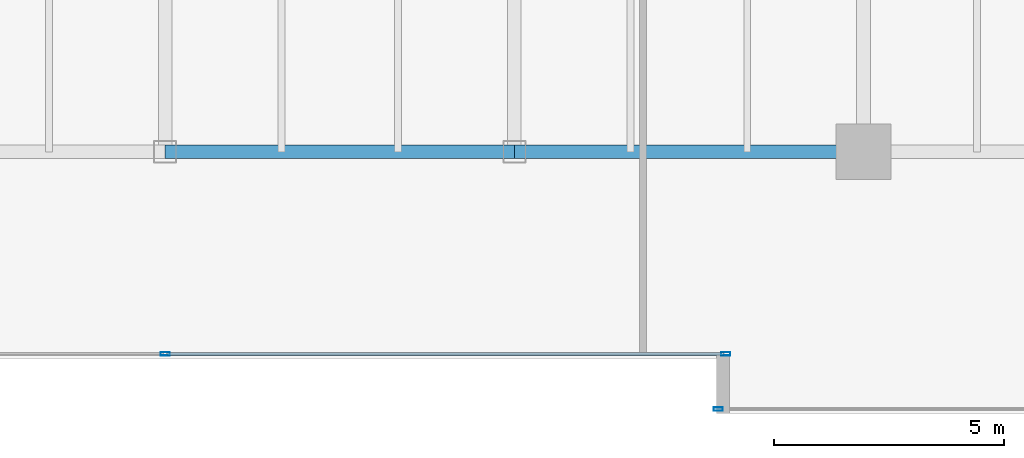
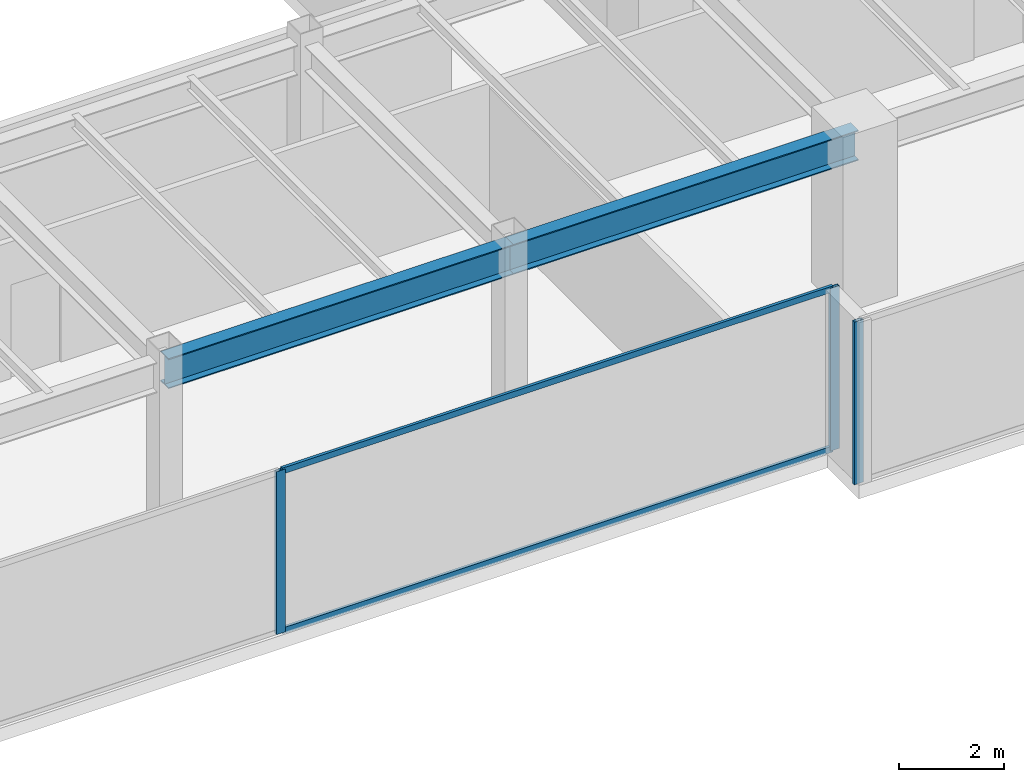
# One storey, part 10 of 31: 5 members, 2 beams, 2 elements without a shape of their own.
"""IFC4 building model written with IfcOpenShell, lengths in metres."""

import ifcopenshell
import ifcopenshell.guid

model = None  # the IFC model being written
_history = None  # IfcOwnerHistory: only IFC2X3 demands one
_inside = {}  # id of a spatial element -> (the spatial element, [elements in it])
_under = {}  # id of a project, library or spatial element -> (it, [spatial elements below it])
_declared = {}  # id of a project -> (the project, [libraries it declares])
_typed = {}  # id of a type object -> (the type object, [elements of that type])
_made_of = {}  # id of a material, layer set ... -> (it, [elements and type objects made of it])


def new_model(schema):
    """Start an empty IFC model of exactly this schema.

    Asked for "IFC4X3", IfcOpenShell would pick the latest addendum, in which some entities
    have other attributes; the version numbers below select the first issue.
    IFC2X3 requires an IfcOwnerHistory on every rooted entity: one is made here for all.
    """
    global model, _history
    if schema == "IFC4X3":
        model = ifcopenshell.file(schema_version=(4, 3, 0, 0))
    else:
        model = ifcopenshell.file(schema=schema)
    _inside.clear()
    _under.clear()
    _declared.clear()
    _typed.clear()
    _made_of.clear()
    _history = None
    if model.schema == "IFC2X3":
        org = make("IfcOrganization", Name="unknown")
        user = make(
            "IfcPersonAndOrganization",
            ThePerson=make("IfcPerson", FamilyName="unknown"),
            TheOrganization=org,
        )
        app = make(
            "IfcApplication",
            ApplicationDeveloper=org,
            Version="unknown",
            ApplicationFullName="unknown",
            ApplicationIdentifier="unknown",
        )
        _history = make(
            "IfcOwnerHistory",
            OwningUser=user,
            OwningApplication=app,
            ChangeAction="ADDED",
            CreationDate=0,
        )
    return model


def make(cls, **values):
    """One entity of the class cls with the attributes given. An attribute that is None is left unset."""
    return model.create_entity(
        cls, **{name: value for name, value in values.items() if value is not None}
    )


def rooted(cls, **values):
    """An entity with a GlobalId (a new one), such as an element, a storey or a relation."""
    return make(cls, GlobalId=ifcopenshell.guid.new(), OwnerHistory=_history, **values)


def si_unit(unit_type, name, prefix=None):
    """IfcSIUnit, for example si_unit("LENGTHUNIT", "METRE", prefix="MILLI")."""
    return make("IfcSIUnit", UnitType=unit_type, Prefix=prefix, Name=name)


def assignment(units):
    """IfcUnitAssignment: the units of a project."""
    return None if units is None else make("IfcUnitAssignment", Units=units)


def point(xyz):
    """IfcCartesianPoint."""
    return None if xyz is None else make("IfcCartesianPoint", Coordinates=xyz)


def direction(xyz):
    """IfcDirection."""
    return None if xyz is None else make("IfcDirection", DirectionRatios=xyz)


def frame(location, z_axis=None, x_axis=None):
    """IfcAxis2Placement3D, a coordinate frame: its origin and axes. An axis left out is left unset."""
    return make(
        "IfcAxis2Placement3D",
        Location=point(location),
        Axis=direction(z_axis),
        RefDirection=direction(x_axis),
    )


def frame_2d(location, x_axis=None):
    """IfcAxis2Placement2D, a coordinate frame in the plane: its origin and x axis."""
    return make(
        "IfcAxis2Placement2D", Location=point(location), RefDirection=direction(x_axis)
    )


def origin():
    """The frame at (0, 0, 0) with its axes left unset."""
    return frame((0.0, 0.0, 0.0))


def origin_2d():
    """The frame at (0, 0) in the plane with its x axis left unset."""
    return frame_2d((0.0, 0.0))


def place(relative_to, where):
    """IfcLocalPlacement: puts the frame where relative to a parent placement (None: the world)."""
    return make(
        "IfcLocalPlacement", PlacementRelTo=relative_to, RelativePlacement=where
    )


def context(
    kind, dimensions, precision=None, world=None, true_north=None, identifier=None
):
    """IfcGeometricRepresentationContext, for example the 3D "Model" context."""
    return make(
        "IfcGeometricRepresentationContext",
        ContextIdentifier=identifier,
        ContextType=kind,
        CoordinateSpaceDimension=dimensions,
        Precision=precision,
        WorldCoordinateSystem=world,
        TrueNorth=true_north,
    )


def subcontext(parent, identifier, kind, view, scale=None):
    """IfcGeometricRepresentationSubContext, for example "Body" below "Model"."""
    return make(
        "IfcGeometricRepresentationSubContext",
        ContextIdentifier=identifier,
        ContextType=kind,
        ParentContext=parent,
        TargetScale=scale,
        TargetView=view,
    )


def project(units=None, contexts=None):
    """IfcProject with its units and contexts."""
    return rooted(
        "IfcProject",
        Name="project",
        RepresentationContexts=contexts,
        UnitsInContext=assignment(units),
    )


def spatial(cls, under=None, at=None, **own):
    """A site, building, storey or space (cls), placed at a placement, below another one or the project."""
    s = rooted(cls, ObjectPlacement=at, **own)
    if under is not None:
        _under.setdefault(under.id(), (under, []))[1].append(s)
    return s


def profile(cls, at=None, kind="AREA", **sizes):
    """A parametric profile (cls). Its sizes go by their IFC names, for example OverallWidth=200.0."""
    return make(cls, ProfileType=kind, Position=at, **sizes)


def hollow_rectangle(**sizes):
    """IfcRectangleHollowProfileDef."""
    return profile("IfcRectangleHollowProfileDef", **sizes)


def i_section(**sizes):
    """IfcIShapeProfileDef."""
    return profile("IfcIShapeProfileDef", **sizes)


def extrude(swept, where, along, depth):
    """IfcExtrudedAreaSolid: the profile swept, set in the frame where, extruded along a direction by depth."""
    return make(
        "IfcExtrudedAreaSolid",
        SweptArea=swept,
        Position=where,
        ExtrudedDirection=direction(along),
        Depth=depth,
    )


def shape(context_of_items, identifier, shape_type, items):
    """IfcShapeRepresentation: the items that make up one representation, for example the "Body"."""
    return make(
        "IfcShapeRepresentation",
        ContextOfItems=context_of_items,
        RepresentationIdentifier=identifier,
        RepresentationType=shape_type,
        Items=items,
    )


def source(mapping_origin, context_of_items, identifier, shape_type, items):
    """IfcRepresentationMap: a shape defined once, which mapped items show again and again."""
    return make(
        "IfcRepresentationMap",
        MappingOrigin=mapping_origin,
        MappedRepresentation=shape(context_of_items, identifier, shape_type, items),
    )


def transform(
    local_origin,
    x_axis=None,
    y_axis=None,
    z_axis=None,
    scale=None,
    scale2=None,
    scale3=None,
    uniform=True,
):
    """IfcCartesianTransformationOperator3D, or its non-uniform kind. x_axis, y_axis, z_axis: its Axis1, 2, 3."""
    if uniform:
        return make(
            "IfcCartesianTransformationOperator3D",
            Axis1=direction(x_axis),
            Axis2=direction(y_axis),
            LocalOrigin=point(local_origin),
            Scale=scale,
            Axis3=direction(z_axis),
        )
    return make(
        "IfcCartesianTransformationOperator3DnonUniform",
        Axis1=direction(x_axis),
        Axis2=direction(y_axis),
        LocalOrigin=point(local_origin),
        Scale=scale,
        Axis3=direction(z_axis),
        Scale2=scale2,
        Scale3=scale3,
    )


def mapped(mapping_source, mapping_target):
    """IfcMappedItem: shows the shape of a source again, moved by a transform."""
    return make(
        "IfcMappedItem", MappingSource=mapping_source, MappingTarget=mapping_target
    )


def material(Name=None, Category=None):
    """IfcMaterial."""
    return make("IfcMaterial", Name=Name, Category=Category)


def layer(
    of_material, thickness, ventilated=None, Name=None, Category=None, Priority=None
):
    """IfcMaterialLayer: one layer of a wall or slab, of a material (None: an air gap)."""
    return make(
        "IfcMaterialLayer",
        Material=of_material,
        LayerThickness=thickness,
        IsVentilated=ventilated,
        Name=Name,
        Category=Category,
        Priority=Priority,
    )


def layer_set(layers, Name=None):
    """IfcMaterialLayerSet."""
    return make("IfcMaterialLayerSet", MaterialLayers=layers, LayerSetName=Name)


def material_profile(
    of_material, cross_section, Name=None, Category=None, Priority=None
):
    """IfcMaterialProfile: a cross section and its material."""
    return make(
        "IfcMaterialProfile",
        Name=Name,
        Material=of_material,
        Profile=cross_section,
        Priority=Priority,
        Category=Category,
    )


def profile_set(profiles, Name=None, composite=None):
    """IfcMaterialProfileSet."""
    return make(
        "IfcMaterialProfileSet",
        Name=Name,
        MaterialProfiles=profiles,
        CompositeProfile=composite,
    )


def made_of(thing, what):
    """Note that an element or type object is made of a material, layer set ...; save() writes the relation."""
    if what is not None:
        _made_of.setdefault(what.id(), (what, []))[1].append(thing)
    return thing


def type_object(cls, material=None, **own):
    """A type object (cls), such as IfcWallType, which elements share."""
    return made_of(rooted(cls, **own), material)


def type_shapes(of_type, sources):
    """Give a type object the sources (RepresentationMaps) that its elements show as mapped items."""
    of_type.RepresentationMaps = sources


def element(
    cls,
    number,
    at=None,
    inside=None,
    cuts=None,
    type_object=None,
    material=None,
    context=None,
    identifier="Body",
    shape_type=None,
    held_by="IfcProductDefinitionShape",
    body=None,
    shapes=None,
    **own,
):
    """One element of the class cls, such as IfcWall. Its Tag is "e" and its number.

    at: its placement. inside: the storey or other place that contains it. cuts: it is an
    opening in that element (IfcRelVoidsElement). A single representation is given by context,
    identifier, shape_type and body (its items); several are given by shapes. held_by: the class
    of the entity that holds the representations. save() writes the other relations.
    """
    e = rooted(cls, Tag="e%d" % number, ObjectPlacement=at, **own)
    if body is not None:
        shapes = [shape(context, identifier, shape_type, body)]
    if shapes is not None:
        e.Representation = make(held_by, Representations=shapes)
    if inside is not None:
        _inside.setdefault(inside.id(), (inside, []))[1].append(e)
    if cuts is not None:
        rooted(
            "IfcRelVoidsElement", RelatingBuildingElement=cuts, RelatedOpeningElement=e
        )
    if type_object is not None:
        _typed.setdefault(type_object.id(), (type_object, []))[1].append(e)
    return made_of(e, material)


def aggregate(whole, parts):
    """IfcRelAggregates: a whole, such as a stair, and the parts it consists of."""
    return rooted("IfcRelAggregates", RelatingObject=whole, RelatedObjects=parts)


def save(model, path):
    """Write the relations noted so far, then the file.

    IfcRelAggregates (storeys below a building ...), IfcRelContainedInSpatialStructure (elements
    in a storey), IfcRelDefinesByType, IfcRelAssociatesMaterial and IfcRelDeclares: one each for
    every whole, place, type object, material and project.
    """
    for whole, parts in _under.values():
        aggregate(whole, parts)
    for where, things in _inside.values():
        rooted(
            "IfcRelContainedInSpatialStructure",
            RelatedElements=things,
            RelatingStructure=where,
        )
    for kind, things in _typed.values():
        rooted("IfcRelDefinesByType", RelatedObjects=things, RelatingType=kind)
    for what, things in _made_of.values():
        rooted("IfcRelAssociatesMaterial", RelatedObjects=things, RelatingMaterial=what)
    for by, libraries in _declared.values():
        rooted("IfcRelDeclares", RelatingContext=by, RelatedDefinitions=libraries)
    model.write(path)


model = new_model("IFC4")

# Units and contexts
model_context = context("Model", 3, precision=1e-05, world=origin(), true_north=direction((0.0, 1.0)))
body_context = subcontext(model_context, "Body", "Model", "MODEL_VIEW")
ifc_project = project(units=[si_unit("LENGTHUNIT", "METRE"), si_unit("AREAUNIT", "SQUARE_METRE"), si_unit("VOLUMEUNIT", "CUBIC_METRE"), si_unit("PLANEANGLEUNIT", "RADIAN"), si_unit("MASSUNIT", "GRAM", prefix="KILO")], contexts=[model_context])

# Site, building, storey
site_placement = place(None, origin())
site = spatial("IfcSite", under=ifc_project, at=site_placement, CompositionType="ELEMENT")
building_placement = place(site_placement, origin())
building = spatial("IfcBuilding", under=site, at=building_placement, Name="Haelvirn Gate Laboratories", CompositionType="ELEMENT")
storey_placement = place(building_placement, frame((0.0, 0.0, 154.300048828125)))
storey = spatial("IfcBuildingStorey", under=building, at=storey_placement, Name="L37", CompositionType="ELEMENT", Elevation=154.300048828125)

# Beams
ifc_material_1 = material(Name="Steel SM355", Category="steel")
ifc_material_profile_1 = material_profile(ifc_material_1, i_section(OverallWidth=0.300048828125, OverallDepth=0.699951171875, WebThickness=0.012939453125, FlangeThickness=0.02392578125, at=origin_2d()), Name="H-700x300x13x24")
ifc_profile_set_1 = profile_set([ifc_material_profile_1], Name="Steel SM355")
beam_type = type_object("IfcBeamType", Name="BM-G-700", PredefinedType="BEAM", material=ifc_profile_set_1)
shared_shape_1 = source(origin(), body_context, "Body", "SweptSolid", [
    extrude(i_section(OverallWidth=0.300048828125, OverallDepth=0.699951171875, WebThickness=0.012939453125, FlangeThickness=0.02392578125, at=origin_2d()), origin(), (0.0, 0.0, 1.0), 7.60009765625),
])
type_shapes(beam_type, [shared_shape_1])
for number, where, z_axis, x_axis, name in (
    (1, (37.39990234375, 7.0, 3.43994140625), (1.0, 0.0, 0.0), (0.0, 1.0, 0.0), "L37 Primary Girder Y7.0 (37.4-45.0)"),
    (2, (45.0, 7.0, 3.43994140625), (1.0, 0.0, 0.0), (0.0, 1.0, 0.0), "L37 Primary Girder Y7.0 (45.0-52.6)"),
):
    element("IfcBeam", number, at=place(storey_placement, frame(where, z_axis=z_axis, x_axis=x_axis)), inside=storey, type_object=beam_type, Name=name, PredefinedType="BEAM", context=body_context, shape_type="MappedRepresentation", body=[
        mapped(shared_shape_1, transform((0.0, 0.0, 0.0), scale=1.0)),
    ])

# Curtain wall, members
ifc_material_2 = material(Name="Anodised bronze unitised aluminium & triple low-E glass", Category="aluminium")
ifc_layer = layer(ifc_material_2, 0.179931640625, Name="CW-SYS-3")
ifc_layer_set = layer_set([ifc_layer], Name="Anodised bronze unitised aluminium & triple low-E glass")
curtain_wall_type = type_object("IfcCurtainWallType", Name="CW-SYS-3", PredefinedType="NOTDEFINED", material=ifc_layer_set)
curtain_wall_1_placement = place(storey_placement, origin())
curtain_wall_1 = element("IfcCurtainWall", 3, at=curtain_wall_1_placement, inside=storey, type_object=curtain_wall_type, Name="L37 Unitised Curtain Wall CW-L37-P0-E02-1", PredefinedType="NOTDEFINED")
ifc_material_3 = material(Name="Extruded aluminium 6063-T6 (anodised bronze)", Category="aluminium")
ifc_material_profile_2 = material_profile(ifc_material_3, hollow_rectangle(XDim=0.06494140625, YDim=0.139892578125, WallThickness=0.00390625, at=origin_2d()), Name="CWT-140x65x4")
ifc_profile_set_2 = profile_set([ifc_material_profile_2], Name="Extruded aluminium 6063-T6 (anodised bronze)")
member_type_1 = type_object("IfcMemberType", Name="CWT-T140", PredefinedType="USERDEFINED", material=ifc_profile_set_2)
shared_shape_2 = source(origin(), body_context, "Body", "SweptSolid", [
    extrude(hollow_rectangle(XDim=0.06494140625, YDim=0.139892578125, WallThickness=0.00390625, at=origin_2d()), origin(), (0.0, 0.0, 1.0), 12.12744140625),
])
type_shapes(member_type_1, [shared_shape_2])
member_1_placement = place(storey_placement, frame((37.4375, 2.60009765625, 0.032470703125), z_axis=(1.0, 0.0, 0.0), x_axis=(0.0, 1.0, 0.0)))
member_1 = element("IfcMember", 4, at=member_1_placement, type_object=member_type_1, Name="CW3 transom 2.1", ObjectType="TRANSOM", PredefinedType="USERDEFINED", context=body_context, shape_type="MappedRepresentation", body=[
    mapped(shared_shape_2, transform((0.0, 0.0, 0.0), scale=1.0)),
])
member_2_placement = place(storey_placement, frame((37.4375, 2.60009765625, 3.757568359375), z_axis=(1.0, 0.0, 0.0), x_axis=(0.0, 1.0, 0.0)))
member_2 = element("IfcMember", 5, at=member_2_placement, type_object=member_type_1, Name="CW3 transom 2.2", ObjectType="TRANSOM", PredefinedType="USERDEFINED", context=body_context, shape_type="MappedRepresentation", body=[
    mapped(shared_shape_2, transform((0.0, 0.0, 0.0), scale=1.0)),
])
ifc_material_profile_3 = material_profile(ifc_material_3, hollow_rectangle(XDim=0.074951171875, YDim=0.199951171875, WallThickness=0.0048828125, at=origin_2d()), Name="CWM-200x75x5")
ifc_profile_set_3 = profile_set([ifc_material_profile_3], Name="Extruded aluminium 6063-T6 (anodised bronze)")
member_type_2 = type_object("IfcMemberType", Name="CWM-T200", PredefinedType="MULLION", material=ifc_profile_set_3)
shared_shape_3 = source(origin(), body_context, "Body", "SweptSolid", [
    extrude(hollow_rectangle(XDim=0.074951171875, YDim=0.199951171875, WallThickness=0.0048828125, at=origin_2d()), origin(), (0.0, 0.0, 1.0), 3.7900390625),
])
type_shapes(member_type_2, [shared_shape_3])
member_3_placement = place(storey_placement, frame((37.39990234375, 2.60009765625, 0.0), z_axis=(0.0, 0.0, 1.0), x_axis=(0.0, 1.0, 0.0)))
member_3 = element("IfcMember", 6, at=member_3_placement, type_object=member_type_2, Name="CW3 mullion 2", PredefinedType="MULLION", context=body_context, shape_type="MappedRepresentation", body=[
    mapped(shared_shape_3, transform((0.0, 0.0, 0.0), scale=1.0)),
])
member_4_placement = place(storey_placement, frame((49.6025390625, 2.60009765625, 0.0), z_axis=(0.0, 0.0, 1.0), x_axis=(0.0, 1.0, 0.0)))
member_4 = element("IfcMember", 7, at=member_4_placement, type_object=member_type_2, Name="CW3 mullion 3", PredefinedType="MULLION", context=body_context, shape_type="MappedRepresentation", body=[
    mapped(shared_shape_3, transform((0.0, 0.0, 0.0), scale=1.0)),
])
aggregate(curtain_wall_1, [member_3, member_4, member_1, member_2])

# Curtain wall, member
curtain_wall_2_placement = place(storey_placement, origin())
curtain_wall_2 = element("IfcCurtainWall", 8, at=curtain_wall_2_placement, inside=storey, type_object=curtain_wall_type, Name="L37 Unitised Curtain Wall CW-L37-P0-E04-1", PredefinedType="NOTDEFINED")
member_5_placement = place(storey_placement, frame((49.4375, 1.39990234375, 0.0), z_axis=(0.0, 0.0, 1.0), x_axis=(0.0, 1.0, 0.0)))
member_5 = element("IfcMember", 9, at=member_5_placement, type_object=member_type_2, Name="CW3 mullion 1", PredefinedType="MULLION", context=body_context, shape_type="MappedRepresentation", body=[
    mapped(shared_shape_3, transform((0.0, 0.0, 0.0), scale=1.0)),
])
aggregate(curtain_wall_2, [member_5])

save(model, "model.ifc")
